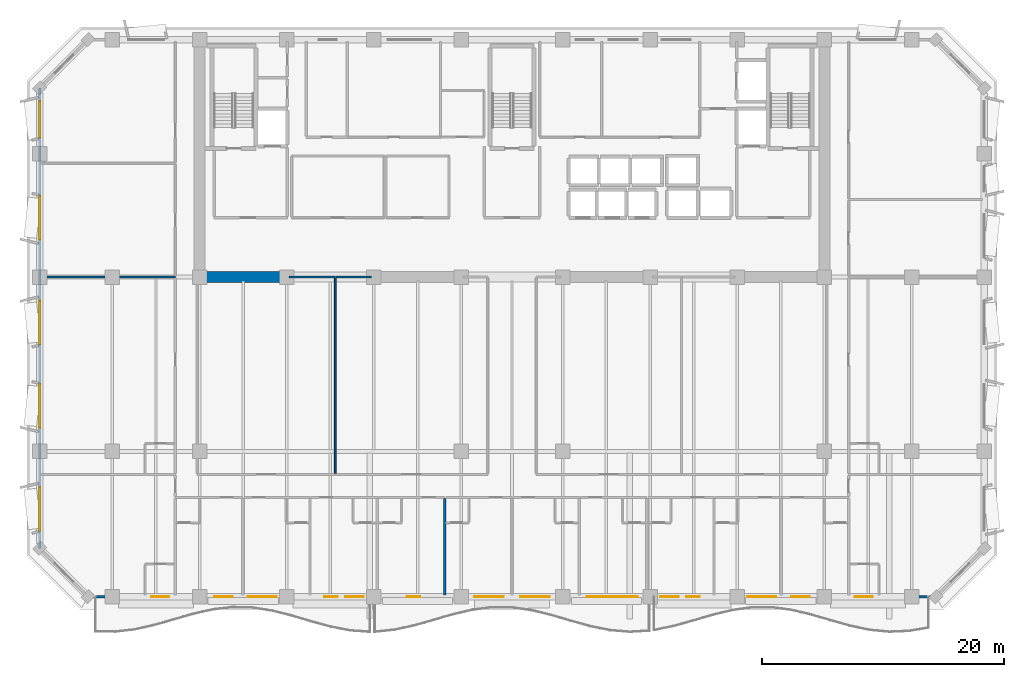
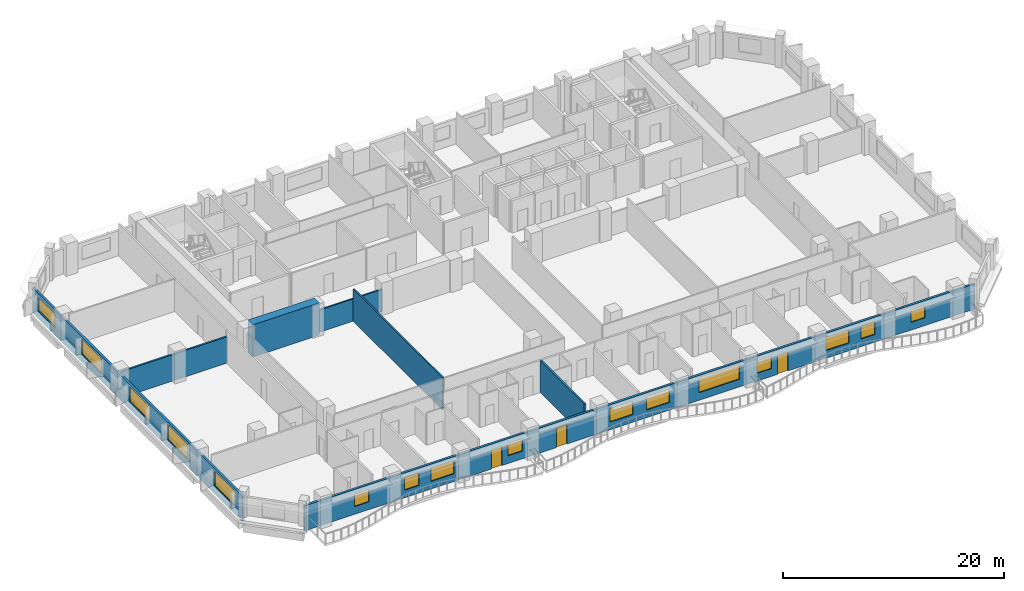
# One storey, part 5 of 15: 16 windows, 8 walls, 3 doors, 19 openings.
"""IFC4 building model written with IfcOpenShell, lengths in metres."""

from ifc_helpers import new_model, si_unit, direction, frame, frame_2d, origin, place, context, subcontext, project, spatial, rectangle, extrude, material, layer, layer_set, type_object, element, fill, save


model = new_model("IFC4")

# Units and contexts
model_context = context("Model", 3, precision=1e-05, world=origin(), true_north=direction((0.0, 1.0)))
body_context = subcontext(model_context, "Body", "Model", "MODEL_VIEW")
ifc_project = project(units=[si_unit("LENGTHUNIT", "METRE"), si_unit("AREAUNIT", "SQUARE_METRE"), si_unit("VOLUMEUNIT", "CUBIC_METRE"), si_unit("PLANEANGLEUNIT", "RADIAN"), si_unit("MASSUNIT", "GRAM", prefix="KILO")], contexts=[model_context])

# Site, building, storey
site_placement = place(None, origin())
site = spatial("IfcSite", under=ifc_project, at=site_placement, CompositionType="ELEMENT")
building_placement = place(site_placement, origin())
building = spatial("IfcBuilding", under=site, at=building_placement, Name="Kaelvorn Grand Hotel", CompositionType="ELEMENT")
storey_placement = place(building_placement, frame((0.0, 0.0, 142.949951171875)))
storey = spatial("IfcBuildingStorey", under=building, at=storey_placement, Name="L34", CompositionType="ELEMENT", Elevation=142.949951171875)

# Wall
ifc_material_1 = material(Name="Concrete C60/75", Category="concrete")
ifc_layer_1 = layer(ifc_material_1, 0.89990234375)
ifc_layer_set_1 = layer_set([ifc_layer_1], Name="Concrete C60/75")
wall_type_1 = type_object("IfcWallType", Name="WL-CORE-900-C60", PredefinedType="SHEAR", material=ifc_layer_set_1)
wall_1_placement = place(storey_placement, frame((16.655029296875, 29.39990234375, 0.0), z_axis=(0.0, 0.0, 1.0), x_axis=(1.0, 0.0, 0.0)))
element("IfcWall", 1, at=wall_1_placement, inside=storey, type_object=wall_type_1, Name="L34 Rear-Core Coupled Shear Pier S1", PredefinedType="SHEAR", context=body_context, shape_type="SweptSolid", body=[
    extrude(rectangle(XDim=6.945068359375, YDim=0.89990234375, at=frame_2d((3.47265625, 0.0))), origin(), (0.0, 0.0, 1.0), 3.56005859375),
])

# Wall, openings, doors, windows
ifc_material_2 = material(Name="Concrete C40/50", Category="concrete")
ifc_layer_2 = layer(ifc_material_2, 0.239990234375)
ifc_layer_set_2 = layer_set([ifc_layer_2], Name="Concrete C40/50")
wall_type_2 = type_object("IfcWallType", Name="WL-EXT-240-C40", PredefinedType="SOLIDWALL", material=ifc_layer_set_2)
wall_2_placement = place(storey_placement, frame((7.0, 3.0, 0.0), z_axis=(0.0, 0.0, 1.0), x_axis=(1.0, 0.0, 0.0)))
wall_2 = element("IfcWall", 2, at=wall_2_placement, inside=storey, type_object=wall_type_2, Name="L34 Exterior Architectural Concrete Wall 01", PredefinedType="SOLIDWALL", context=body_context, shape_type="SweptSolid", body=[
    extrude(rectangle(XDim=70.0, YDim=0.239990234375, at=frame_2d((35.0, 0.0))), origin(), (0.0, 0.0, 1.0), 2.760009765625),
])
opening_1_placement = place(wall_2_placement, frame((19.5166015625, 0.0, 0.0)))
opening_1 = element("IfcOpeningElement", 3, at=opening_1_placement, cuts=wall_2, Name="Opening DE2", PredefinedType="OPENING", context=body_context, shape_type="SweptSolid", body=[
    extrude(rectangle(XDim=1.10009765625, YDim=2.14990234375, at=frame_2d((0.550048828125, 1.074951171875))), frame((0.0, 0.1298828125, 0.0), z_axis=(0.0, -1.0, 0.0), x_axis=(1.0, 0.0, 0.0)), (0.0, 0.0, 1.0), 0.260009765625),
])
opening_2_placement = place(wall_2_placement, frame((26.316650390625, 0.0, 0.0)))
opening_2 = element("IfcOpeningElement", 4, at=opening_2_placement, cuts=wall_2, Name="Opening DE2", PredefinedType="OPENING", context=body_context, shape_type="SweptSolid", body=[
    extrude(rectangle(XDim=1.10009765625, YDim=2.14990234375, at=frame_2d((0.550048828125, 1.074951171875))), frame((0.0, 0.1298828125, 0.0), z_axis=(0.0, -1.0, 0.0), x_axis=(1.0, 0.0, 0.0)), (0.0, 0.0, 1.0), 0.260009765625),
])
opening_3_placement = place(wall_2_placement, frame((49.38330078125, 0.0, 0.0)))
opening_3 = element("IfcOpeningElement", 5, at=opening_3_placement, cuts=wall_2, Name="Opening DE2", PredefinedType="OPENING", context=body_context, shape_type="SweptSolid", body=[
    extrude(rectangle(XDim=1.10009765625, YDim=2.14990234375, at=frame_2d((0.550048828125, 1.074951171875))), frame((0.0, 0.1298828125, 0.0), z_axis=(0.0, -1.0, 0.0), x_axis=(1.0, 0.0, 0.0)), (0.0, 0.0, 1.0), 0.260009765625),
])
opening_4_placement = place(wall_2_placement, frame((5.199951171875, 0.0, 0.85009765625)))
opening_4 = element("IfcOpeningElement", 6, at=opening_4_placement, cuts=wall_2, Name="Opening W10", PredefinedType="OPENING", context=body_context, shape_type="SweptSolid", body=[
    extrude(rectangle(XDim=1.5, YDim=1.39990234375, at=frame_2d((0.75, 0.699951171875))), frame((0.0, 0.1298828125, 0.0), z_axis=(0.0, -1.0, 0.0), x_axis=(1.0, 0.0, 0.0)), (0.0, 0.0, 1.0), 0.260009765625),
])
opening_5_placement = place(wall_2_placement, frame((10.429931640625, 0.0, 0.85009765625)))
opening_5 = element("IfcOpeningElement", 7, at=opening_5_placement, cuts=wall_2, Name="Opening W10", PredefinedType="OPENING", context=body_context, shape_type="SweptSolid", body=[
    extrude(rectangle(XDim=1.5, YDim=1.39990234375, at=frame_2d((0.75, 0.699951171875))), frame((0.0, 0.1298828125, 0.0), z_axis=(0.0, -1.0, 0.0), x_axis=(1.0, 0.0, 0.0)), (0.0, 0.0, 1.0), 0.260009765625),
])
opening_6_placement = place(wall_2_placement, frame((13.179931640625, 0.0, 0.85009765625)))
opening_6 = element("IfcOpeningElement", 8, at=opening_6_placement, cuts=wall_2, Name="Opening W6", PredefinedType="OPENING", context=body_context, shape_type="SweptSolid", body=[
    extrude(rectangle(XDim=2.39990234375, YDim=1.5, at=frame_2d((1.199951171875, 0.75))), frame((0.0, 0.1298828125, 0.0), z_axis=(0.0, -1.0, 0.0), x_axis=(1.0, 0.0, 0.0)), (0.0, 0.0, 1.0), 0.260009765625),
])
opening_7_placement = place(wall_2_placement, frame((21.243408203125, 0.0, 0.85009765625)))
opening_7 = element("IfcOpeningElement", 9, at=opening_7_placement, cuts=wall_2, Name="Opening W10", PredefinedType="OPENING", context=body_context, shape_type="SweptSolid", body=[
    extrude(rectangle(XDim=1.5, YDim=1.39990234375, at=frame_2d((0.75, 0.699951171875))), frame((0.0, 0.1298828125, 0.0), z_axis=(0.0, -1.0, 0.0), x_axis=(1.0, 0.0, 0.0)), (0.0, 0.0, 1.0), 0.260009765625),
])
opening_8_placement = place(wall_2_placement, frame((31.89990234375, 0.0, 0.85009765625)))
opening_8 = element("IfcOpeningElement", 10, at=opening_8_placement, cuts=wall_2, Name="Opening W6", PredefinedType="OPENING", context=body_context, shape_type="SweptSolid", body=[
    extrude(rectangle(XDim=2.39990234375, YDim=1.5, at=frame_2d((1.199951171875, 0.75))), frame((0.0, 0.1298828125, 0.0), z_axis=(0.0, -1.0, 0.0), x_axis=(1.0, 0.0, 0.0)), (0.0, 0.0, 1.0), 0.260009765625),
])
opening_9_placement = place(wall_2_placement, frame((35.699951171875, 0.0, 0.85009765625)))
opening_9 = element("IfcOpeningElement", 11, at=opening_9_placement, cuts=wall_2, Name="Opening W6", PredefinedType="OPENING", context=body_context, shape_type="SweptSolid", body=[
    extrude(rectangle(XDim=2.39990234375, YDim=1.5, at=frame_2d((1.199951171875, 0.75))), frame((0.0, 0.1298828125, 0.0), z_axis=(0.0, -1.0, 0.0), x_axis=(1.0, 0.0, 0.0)), (0.0, 0.0, 1.0), 0.260009765625),
])
opening_10_placement = place(wall_2_placement, frame((41.179931640625, 0.0, 0.85009765625)))
opening_10 = element("IfcOpeningElement", 12, at=opening_10_placement, cuts=wall_2, Name="Opening W2", PredefinedType="OPENING", context=body_context, shape_type="SweptSolid", body=[
    extrude(rectangle(XDim=4.199951171875, YDim=1.64990234375, at=frame_2d((2.10009765625, 0.824951171875))), frame((0.0, 0.1298828125, 0.0), z_axis=(0.0, -1.0, 0.0), x_axis=(1.0, 0.0, 0.0)), (0.0, 0.0, 1.0), 0.260009765625),
])
opening_11_placement = place(wall_2_placement, frame((47.256591796875, 0.0, 0.85009765625)))
opening_11 = element("IfcOpeningElement", 13, at=opening_11_placement, cuts=wall_2, Name="Opening W10", PredefinedType="OPENING", context=body_context, shape_type="SweptSolid", body=[
    extrude(rectangle(XDim=1.5, YDim=1.39990234375, at=frame_2d((0.75, 0.699951171875))), frame((0.0, 0.1298828125, 0.0), z_axis=(0.0, -1.0, 0.0), x_axis=(1.0, 0.0, 0.0)), (0.0, 0.0, 1.0), 0.260009765625),
])
opening_12_placement = place(wall_2_placement, frame((54.419921875, 0.0, 0.85009765625)))
opening_12 = element("IfcOpeningElement", 14, at=opening_12_placement, cuts=wall_2, Name="Opening W6", PredefinedType="OPENING", context=body_context, shape_type="SweptSolid", body=[
    extrude(rectangle(XDim=2.39990234375, YDim=1.5, at=frame_2d((1.199951171875, 0.75))), frame((0.0, 0.1298828125, 0.0), z_axis=(0.0, -1.0, 0.0), x_axis=(1.0, 0.0, 0.0)), (0.0, 0.0, 1.0), 0.260009765625),
])
opening_13_placement = place(wall_2_placement, frame((58.070068359375, 0.0, 0.85009765625)))
opening_13 = element("IfcOpeningElement", 15, at=opening_13_placement, cuts=wall_2, Name="Opening W10", PredefinedType="OPENING", context=body_context, shape_type="SweptSolid", body=[
    extrude(rectangle(XDim=1.5, YDim=1.39990234375, at=frame_2d((0.75, 0.699951171875))), frame((0.0, 0.1298828125, 0.0), z_axis=(0.0, -1.0, 0.0), x_axis=(1.0, 0.0, 0.0)), (0.0, 0.0, 1.0), 0.260009765625),
])
opening_14_placement = place(wall_2_placement, frame((63.300048828125, 0.0, 0.85009765625)))
opening_14 = element("IfcOpeningElement", 16, at=opening_14_placement, cuts=wall_2, Name="Opening W10", PredefinedType="OPENING", context=body_context, shape_type="SweptSolid", body=[
    extrude(rectangle(XDim=1.5, YDim=1.39990234375, at=frame_2d((0.75, 0.699951171875))), frame((0.0, 0.1298828125, 0.0), z_axis=(0.0, -1.0, 0.0), x_axis=(1.0, 0.0, 0.0)), (0.0, 0.0, 1.0), 0.260009765625),
])
ifc_material_3 = material(Name="Anodised Aluminium", Category="aluminium")
door_type = type_object("IfcDoorType", Name="DR-EXT-BALC-1100x2150", OperationType="NOTDEFINED", PredefinedType="DOOR", material=ifc_material_3)
door_1_placement = place(opening_1_placement, origin())
door_1 = element("IfcDoor", 17, at=door_1_placement, inside=storey, type_object=door_type, Name="L34 Scalloped Balcony Glazed Door DE2-1", OperationType="SINGLE_SWING_RIGHT", OverallHeight=2.14990234375, OverallWidth=1.10009765625, PredefinedType="DOOR", context=body_context, shape_type="SweptSolid", body=[
    extrude(rectangle(XDim=1.10009765625, YDim=2.14990234375, at=frame_2d((0.550048828125, 1.074951171875))), frame((0.0, 0.02490234375, 0.0), z_axis=(0.0, -1.0, 0.0), x_axis=(1.0, 0.0, 0.0)), (0.0, 0.0, 1.0), 0.050048828125),
])
fill(opening_1, door_1)
door_2_placement = place(opening_2_placement, origin())
door_2 = element("IfcDoor", 18, at=door_2_placement, inside=storey, type_object=door_type, Name="L34 Scalloped Balcony Glazed Door DE2-2", OperationType="SINGLE_SWING_LEFT", OverallHeight=2.14990234375, OverallWidth=1.10009765625, PredefinedType="DOOR", context=body_context, shape_type="SweptSolid", body=[
    extrude(rectangle(XDim=1.10009765625, YDim=2.14990234375, at=frame_2d((0.550048828125, 1.074951171875))), frame((0.0, 0.02490234375, 0.0), z_axis=(0.0, -1.0, 0.0), x_axis=(1.0, 0.0, 0.0)), (0.0, 0.0, 1.0), 0.050048828125),
])
fill(opening_2, door_2)
door_3_placement = place(opening_3_placement, origin())
door_3 = element("IfcDoor", 19, at=door_3_placement, inside=storey, type_object=door_type, Name="L34 Scalloped Balcony Glazed Door DE2-3", OperationType="SINGLE_SWING_RIGHT", OverallHeight=2.14990234375, OverallWidth=1.10009765625, PredefinedType="DOOR", context=body_context, shape_type="SweptSolid", body=[
    extrude(rectangle(XDim=1.10009765625, YDim=2.14990234375, at=frame_2d((0.550048828125, 1.074951171875))), frame((0.0, 0.02490234375, 0.0), z_axis=(0.0, -1.0, 0.0), x_axis=(1.0, 0.0, 0.0)), (0.0, 0.0, 1.0), 0.050048828125),
])
fill(opening_3, door_3)
ifc_material_4 = material(Name="Laminated Low-E Glass", Category="glass")
window_type_1 = type_object("IfcWindowType", Name="WIN-COR-1500x1400", PartitioningType="SINGLE_PANEL", PredefinedType="WINDOW", material=ifc_material_4)
window_1_placement = place(opening_4_placement, origin())
window_1 = element("IfcWindow", 20, at=window_1_placement, inside=storey, type_object=window_type_1, Name="L34 South Guestroom Ribbon Window SR01", OverallHeight=1.39990234375, OverallWidth=1.5, PartitioningType="SINGLE_PANEL", PredefinedType="WINDOW", context=body_context, shape_type="SweptSolid", body=[
    extrude(rectangle(XDim=1.5, YDim=1.39990234375, at=frame_2d((0.75, 0.699951171875))), frame((0.0, 0.030029296875, 0.0), z_axis=(0.0, -1.0, 0.0), x_axis=(1.0, 0.0, 0.0)), (0.0, 0.0, 1.0), 0.06005859375),
])
fill(opening_4, window_1)
window_2_placement = place(opening_5_placement, origin())
window_2 = element("IfcWindow", 21, at=window_2_placement, inside=storey, type_object=window_type_1, Name="L34 South Guestroom Ribbon Window SR02", OverallHeight=1.39990234375, OverallWidth=1.5, PartitioningType="SINGLE_PANEL", PredefinedType="WINDOW", context=body_context, shape_type="SweptSolid", body=[
    extrude(rectangle(XDim=1.5, YDim=1.39990234375, at=frame_2d((0.75, 0.699951171875))), frame((0.0, 0.030029296875, 0.0), z_axis=(0.0, -1.0, 0.0), x_axis=(1.0, 0.0, 0.0)), (0.0, 0.0, 1.0), 0.06005859375),
])
fill(opening_5, window_2)
window_3_placement = place(opening_7_placement, origin())
window_3 = element("IfcWindow", 22, at=window_3_placement, inside=storey, type_object=window_type_1, Name="L34 South Guestroom Ribbon Window SR04", OverallHeight=1.39990234375, OverallWidth=1.5, PartitioningType="SINGLE_PANEL", PredefinedType="WINDOW", context=body_context, shape_type="SweptSolid", body=[
    extrude(rectangle(XDim=1.5, YDim=1.39990234375, at=frame_2d((0.75, 0.699951171875))), frame((0.0, 0.030029296875, 0.0), z_axis=(0.0, -1.0, 0.0), x_axis=(1.0, 0.0, 0.0)), (0.0, 0.0, 1.0), 0.06005859375),
])
fill(opening_7, window_3)
window_4_placement = place(opening_11_placement, origin())
window_4 = element("IfcWindow", 23, at=window_4_placement, inside=storey, type_object=window_type_1, Name="L34 South Guestroom Ribbon Window SR08", OverallHeight=1.39990234375, OverallWidth=1.5, PartitioningType="SINGLE_PANEL", PredefinedType="WINDOW", context=body_context, shape_type="SweptSolid", body=[
    extrude(rectangle(XDim=1.5, YDim=1.39990234375, at=frame_2d((0.75, 0.699951171875))), frame((0.0, 0.030029296875, 0.0), z_axis=(0.0, -1.0, 0.0), x_axis=(1.0, 0.0, 0.0)), (0.0, 0.0, 1.0), 0.06005859375),
])
fill(opening_11, window_4)
window_5_placement = place(opening_13_placement, origin())
window_5 = element("IfcWindow", 24, at=window_5_placement, inside=storey, type_object=window_type_1, Name="L34 South Guestroom Ribbon Window SR10", OverallHeight=1.39990234375, OverallWidth=1.5, PartitioningType="SINGLE_PANEL", PredefinedType="WINDOW", context=body_context, shape_type="SweptSolid", body=[
    extrude(rectangle(XDim=1.5, YDim=1.39990234375, at=frame_2d((0.75, 0.699951171875))), frame((0.0, 0.030029296875, 0.0), z_axis=(0.0, -1.0, 0.0), x_axis=(1.0, 0.0, 0.0)), (0.0, 0.0, 1.0), 0.06005859375),
])
fill(opening_13, window_5)
window_6_placement = place(opening_14_placement, origin())
window_6 = element("IfcWindow", 25, at=window_6_placement, inside=storey, type_object=window_type_1, Name="L34 South Guestroom Ribbon Window SR11", OverallHeight=1.39990234375, OverallWidth=1.5, PartitioningType="SINGLE_PANEL", PredefinedType="WINDOW", context=body_context, shape_type="SweptSolid", body=[
    extrude(rectangle(XDim=1.5, YDim=1.39990234375, at=frame_2d((0.75, 0.699951171875))), frame((0.0, 0.030029296875, 0.0), z_axis=(0.0, -1.0, 0.0), x_axis=(1.0, 0.0, 0.0)), (0.0, 0.0, 1.0), 0.06005859375),
])
fill(opening_14, window_6)
window_type_2 = type_object("IfcWindowType", Name="WIN-NTH-2400x1500", PartitioningType="SINGLE_PANEL", PredefinedType="WINDOW", material=ifc_material_4)
window_7_placement = place(opening_6_placement, origin())
window_7 = element("IfcWindow", 26, at=window_7_placement, inside=storey, type_object=window_type_2, Name="L34 South Guestroom Ribbon Window SR03", OverallHeight=1.5, OverallWidth=2.39990234375, PartitioningType="SINGLE_PANEL", PredefinedType="WINDOW", context=body_context, shape_type="SweptSolid", body=[
    extrude(rectangle(XDim=2.39990234375, YDim=1.5, at=frame_2d((1.199951171875, 0.75))), frame((0.0, 0.030029296875, 0.0), z_axis=(0.0, -1.0, 0.0), x_axis=(1.0, 0.0, 0.0)), (0.0, 0.0, 1.0), 0.06005859375),
])
fill(opening_6, window_7)
window_8_placement = place(opening_8_placement, origin())
window_8 = element("IfcWindow", 27, at=window_8_placement, inside=storey, type_object=window_type_2, Name="L34 South Guestroom Ribbon Window SR05", OverallHeight=1.5, OverallWidth=2.39990234375, PartitioningType="SINGLE_PANEL", PredefinedType="WINDOW", context=body_context, shape_type="SweptSolid", body=[
    extrude(rectangle(XDim=2.39990234375, YDim=1.5, at=frame_2d((1.199951171875, 0.75))), frame((0.0, 0.030029296875, 0.0), z_axis=(0.0, -1.0, 0.0), x_axis=(1.0, 0.0, 0.0)), (0.0, 0.0, 1.0), 0.06005859375),
])
fill(opening_8, window_8)
window_9_placement = place(opening_9_placement, origin())
window_9 = element("IfcWindow", 28, at=window_9_placement, inside=storey, type_object=window_type_2, Name="L34 South Guestroom Ribbon Window SR06", OverallHeight=1.5, OverallWidth=2.39990234375, PartitioningType="SINGLE_PANEL", PredefinedType="WINDOW", context=body_context, shape_type="SweptSolid", body=[
    extrude(rectangle(XDim=2.39990234375, YDim=1.5, at=frame_2d((1.199951171875, 0.75))), frame((0.0, 0.030029296875, 0.0), z_axis=(0.0, -1.0, 0.0), x_axis=(1.0, 0.0, 0.0)), (0.0, 0.0, 1.0), 0.06005859375),
])
fill(opening_9, window_9)
window_10_placement = place(opening_12_placement, origin())
window_10 = element("IfcWindow", 29, at=window_10_placement, inside=storey, type_object=window_type_2, Name="L34 South Guestroom Ribbon Window SR09", OverallHeight=1.5, OverallWidth=2.39990234375, PartitioningType="SINGLE_PANEL", PredefinedType="WINDOW", context=body_context, shape_type="SweptSolid", body=[
    extrude(rectangle(XDim=2.39990234375, YDim=1.5, at=frame_2d((1.199951171875, 0.75))), frame((0.0, 0.030029296875, 0.0), z_axis=(0.0, -1.0, 0.0), x_axis=(1.0, 0.0, 0.0)), (0.0, 0.0, 1.0), 0.06005859375),
])
fill(opening_12, window_10)
window_type_3 = type_object("IfcWindowType", Name="WIN-RIB-4200x1650", PartitioningType="SINGLE_PANEL", PredefinedType="WINDOW", material=ifc_material_4)
window_11_placement = place(opening_10_placement, origin())
window_11 = element("IfcWindow", 30, at=window_11_placement, inside=storey, type_object=window_type_3, Name="L34 South Guestroom Ribbon Window SR07", OverallHeight=1.64990234375, OverallWidth=4.199951171875, PartitioningType="SINGLE_PANEL", PredefinedType="WINDOW", context=body_context, shape_type="SweptSolid", body=[
    extrude(rectangle(XDim=4.199951171875, YDim=1.64990234375, at=frame_2d((2.10009765625, 0.824951171875))), frame((0.0, 0.030029296875, 0.0), z_axis=(0.0, -1.0, 0.0), x_axis=(1.0, 0.0, 0.0)), (0.0, 0.0, 1.0), 0.06005859375),
])
fill(opening_10, window_11)

# Wall, openings, windows
wall_3_placement = place(storey_placement, frame((3.0, 45.0, 0.0), z_axis=(0.0, 0.0, 1.0), x_axis=(0.0, -1.0, 0.0)))
wall_3 = element("IfcWall", 31, at=wall_3_placement, inside=storey, type_object=wall_type_2, Name="L34 Exterior Architectural Concrete Wall 07", PredefinedType="SOLIDWALL", context=body_context, shape_type="SweptSolid", body=[
    extrude(rectangle(XDim=38.0, YDim=0.239990234375, at=frame_2d((19.0, 0.0))), origin(), (0.0, 0.0, 1.0), 2.760009765625),
])
opening_15_placement = place(wall_3_placement, frame((32.949951171875, 0.0, 0.85009765625)))
opening_15 = element("IfcOpeningElement", 32, at=opening_15_placement, cuts=wall_3, Name="Opening W3", PredefinedType="OPENING", context=body_context, shape_type="SweptSolid", body=[
    extrude(rectangle(XDim=3.60009765625, YDim=1.64990234375, at=frame_2d((1.800048828125, 0.824951171875))), frame((0.0, 0.1298828125, 0.0), z_axis=(0.0, -1.0, 0.0), x_axis=(1.0, 0.0, 0.0)), (0.0, 0.0, 1.0), 0.260009765625),
])
opening_16_placement = place(wall_3_placement, frame((24.43505859375, 0.0, 0.85009765625)))
opening_16 = element("IfcOpeningElement", 33, at=opening_16_placement, cuts=wall_3, Name="Opening W3", PredefinedType="OPENING", context=body_context, shape_type="SweptSolid", body=[
    extrude(rectangle(XDim=3.60009765625, YDim=1.64990234375, at=frame_2d((1.800048828125, 0.824951171875))), frame((0.0, 0.1298828125, 0.0), z_axis=(0.0, -1.0, 0.0), x_axis=(1.0, 0.0, 0.0)), (0.0, 0.0, 1.0), 0.260009765625),
])
opening_17_placement = place(wall_3_placement, frame((17.56494140625, 0.0, 0.85009765625)))
opening_17 = element("IfcOpeningElement", 34, at=opening_17_placement, cuts=wall_3, Name="Opening W3", PredefinedType="OPENING", context=body_context, shape_type="SweptSolid", body=[
    extrude(rectangle(XDim=3.60009765625, YDim=1.64990234375, at=frame_2d((1.800048828125, 0.824951171875))), frame((0.0, 0.1298828125, 0.0), z_axis=(0.0, -1.0, 0.0), x_axis=(1.0, 0.0, 0.0)), (0.0, 0.0, 1.0), 0.260009765625),
])
opening_18_placement = place(wall_3_placement, frame((8.89990234375, 0.0, 0.85009765625)))
opening_18 = element("IfcOpeningElement", 35, at=opening_18_placement, cuts=wall_3, Name="Opening W3", PredefinedType="OPENING", context=body_context, shape_type="SweptSolid", body=[
    extrude(rectangle(XDim=3.60009765625, YDim=1.64990234375, at=frame_2d((1.800048828125, 0.824951171875))), frame((0.0, 0.1298828125, 0.0), z_axis=(0.0, -1.0, 0.0), x_axis=(1.0, 0.0, 0.0)), (0.0, 0.0, 1.0), 0.260009765625),
])
opening_19_placement = place(wall_3_placement, frame((1.0849609375, 0.0, 0.85009765625)))
opening_19 = element("IfcOpeningElement", 36, at=opening_19_placement, cuts=wall_3, Name="Opening W5", PredefinedType="OPENING", context=body_context, shape_type="SweptSolid", body=[
    extrude(rectangle(XDim=3.0, YDim=1.5, at=frame_2d((1.5, 0.75))), frame((0.0, 0.1298828125, 0.0), z_axis=(0.0, -1.0, 0.0), x_axis=(1.0, 0.0, 0.0)), (0.0, 0.0, 1.0), 0.260009765625),
])
window_type_4 = type_object("IfcWindowType", Name="WIN-NTH-3000x1500", PartitioningType="SINGLE_PANEL", PredefinedType="WINDOW", material=ifc_material_4)
window_12_placement = place(opening_19_placement, origin())
window_12 = element("IfcWindow", 37, at=window_12_placement, inside=storey, type_object=window_type_4, Name="L34 W Wing Tilted-Frame Ribbon Window W05", OverallHeight=1.5, OverallWidth=3.0, PartitioningType="SINGLE_PANEL", PredefinedType="WINDOW", context=body_context, shape_type="SweptSolid", body=[
    extrude(rectangle(XDim=3.0, YDim=1.5, at=frame_2d((1.5, 0.75))), frame((0.0, 0.030029296875, 0.0), z_axis=(0.0, -1.0, 0.0), x_axis=(1.0, 0.0, 0.0)), (0.0, 0.0, 1.0), 0.06005859375),
])
fill(opening_19, window_12)
window_type_5 = type_object("IfcWindowType", Name="WIN-RIB-3600x1750", PartitioningType="SINGLE_PANEL", PredefinedType="WINDOW", material=ifc_material_4)
window_13_placement = place(opening_15_placement, origin())
window_13 = element("IfcWindow", 38, at=window_13_placement, inside=storey, type_object=window_type_5, Name="L34 W Wing Tilted-Frame Ribbon Window W01", OverallHeight=1.64990234375, OverallWidth=3.60009765625, PartitioningType="SINGLE_PANEL", PredefinedType="WINDOW", context=body_context, shape_type="SweptSolid", body=[
    extrude(rectangle(XDim=3.60009765625, YDim=1.64990234375, at=frame_2d((1.800048828125, 0.824951171875))), frame((0.0, 0.030029296875, 0.0), z_axis=(0.0, -1.0, 0.0), x_axis=(1.0, 0.0, 0.0)), (0.0, 0.0, 1.0), 0.06005859375),
])
fill(opening_15, window_13)
window_14_placement = place(opening_16_placement, origin())
window_14 = element("IfcWindow", 39, at=window_14_placement, inside=storey, type_object=window_type_5, Name="L34 W Wing Tilted-Frame Ribbon Window W02", OverallHeight=1.64990234375, OverallWidth=3.60009765625, PartitioningType="SINGLE_PANEL", PredefinedType="WINDOW", context=body_context, shape_type="SweptSolid", body=[
    extrude(rectangle(XDim=3.60009765625, YDim=1.64990234375, at=frame_2d((1.800048828125, 0.824951171875))), frame((0.0, 0.030029296875, 0.0), z_axis=(0.0, -1.0, 0.0), x_axis=(1.0, 0.0, 0.0)), (0.0, 0.0, 1.0), 0.06005859375),
])
fill(opening_16, window_14)
window_15_placement = place(opening_17_placement, origin())
window_15 = element("IfcWindow", 40, at=window_15_placement, inside=storey, type_object=window_type_5, Name="L34 W Wing Tilted-Frame Ribbon Window W03", OverallHeight=1.64990234375, OverallWidth=3.60009765625, PartitioningType="SINGLE_PANEL", PredefinedType="WINDOW", context=body_context, shape_type="SweptSolid", body=[
    extrude(rectangle(XDim=3.60009765625, YDim=1.64990234375, at=frame_2d((1.800048828125, 0.824951171875))), frame((0.0, 0.030029296875, 0.0), z_axis=(0.0, -1.0, 0.0), x_axis=(1.0, 0.0, 0.0)), (0.0, 0.0, 1.0), 0.06005859375),
])
fill(opening_17, window_15)
window_16_placement = place(opening_18_placement, origin())
window_16 = element("IfcWindow", 41, at=window_16_placement, inside=storey, type_object=window_type_5, Name="L34 W Wing Tilted-Frame Ribbon Window W04", OverallHeight=1.64990234375, OverallWidth=3.60009765625, PartitioningType="SINGLE_PANEL", PredefinedType="WINDOW", context=body_context, shape_type="SweptSolid", body=[
    extrude(rectangle(XDim=3.60009765625, YDim=1.64990234375, at=frame_2d((1.800048828125, 0.824951171875))), frame((0.0, 0.030029296875, 0.0), z_axis=(0.0, -1.0, 0.0), x_axis=(1.0, 0.0, 0.0)), (0.0, 0.0, 1.0), 0.06005859375),
])
fill(opening_18, window_16)

# Walls
ifc_material_5 = material(Name="Acoustic Gypsum & Stud Partition")
ifc_layer_3 = layer(ifc_material_5, 0.14990234375)
ifc_layer_set_3 = layer_set([ifc_layer_3], Name="Acoustic Gypsum & Stud Partition")
wall_type_3 = type_object("IfcWallType", Name="WL-PART-150-EI60", PredefinedType="PARTITIONING", material=ifc_layer_set_3)
wall_4_placement = place(storey_placement, frame((23.610107421875, 29.39990234375, 0.0), z_axis=(0.0, 0.0, 1.0), x_axis=(1.0, 0.0, 0.0)))
element("IfcWall", 42, at=wall_4_placement, inside=storey, type_object=wall_type_3, Name="L34 Private Dining Restaurant N Partition", PredefinedType="PARTITIONING", context=body_context, shape_type="SweptSolid", body=[
    extrude(rectangle(XDim=3.789794921875, YDim=0.14990234375, at=frame_2d((1.89501953125, 0.0))), origin(), (0.0, 0.0, 1.0), 2.4599609375),
])
wall_5_placement = place(storey_placement, frame((27.39990234375, 13.179931640625, 0.0), z_axis=(0.0, 0.0, 1.0), x_axis=(0.0, 1.0, 0.0)))
element("IfcWall", 43, at=wall_5_placement, inside=storey, type_object=wall_type_3, Name="L34 Private Dining Restaurant E Partition", PredefinedType="PARTITIONING", context=body_context, shape_type="SweptSolid", body=[
    extrude(rectangle(XDim=16.14013671875, YDim=0.14990234375, at=frame_2d((8.070068359375, 0.0))), origin(), (0.0, 0.0, 1.0), 3.56005859375),
])
wall_6_placement = place(storey_placement, frame((27.47998046875, 29.39990234375, 0.0), z_axis=(0.0, 0.0, 1.0), x_axis=(1.0, 0.0, 0.0)))
element("IfcWall", 44, at=wall_6_placement, inside=storey, type_object=wall_type_3, Name="L34 Hospitality Tea Kitchen N Partition (1)", PredefinedType="PARTITIONING", context=body_context, shape_type="SweptSolid", body=[
    extrude(rectangle(XDim=2.909912109375, YDim=0.14990234375, at=frame_2d((1.455078125, 0.0))), origin(), (0.0, 0.0, 1.0), 2.4599609375),
])
ifc_layer_4 = layer(ifc_material_5, 0.179931640625)
ifc_layer_set_4 = layer_set([ifc_layer_4], Name="Acoustic Gypsum & Stud Partition")
wall_type_4 = type_object("IfcWallType", Name="WL-PART-180-EI60", PredefinedType="PARTITIONING", material=ifc_layer_set_4)
wall_7_placement = place(storey_placement, frame((36.43994140625, 3.14990234375, 0.0), z_axis=(0.0, 0.0, 1.0), x_axis=(0.0, 1.0, 0.0)))
element("IfcWall", 45, at=wall_7_placement, inside=storey, type_object=wall_type_4, Name="L34 Superior King Guest Room L34-04 E Partition", PredefinedType="PARTITIONING", context=body_context, shape_type="SweptSolid", body=[
    extrude(rectangle(XDim=7.955078125, YDim=0.179931640625, at=frame_2d((3.9775390625, 0.0))), origin(), (0.0, 0.0, 1.0), 3.56005859375),
])
wall_8_placement = place(storey_placement, frame((3.14990234375, 29.39990234375, 0.0), z_axis=(0.0, 0.0, 1.0), x_axis=(1.0, 0.0, 0.0)))
element("IfcWall", 46, at=wall_8_placement, inside=storey, type_object=wall_type_4, Name="L34 West End Panoramic Suite L34-12 N Partition", PredefinedType="PARTITIONING", context=body_context, shape_type="SweptSolid", body=[
    extrude(rectangle(XDim=11.050048828125, YDim=0.179931640625, at=frame_2d((5.52490234375, 0.0))), origin(), (0.0, 0.0, 1.0), 2.91015625),
])

save(model, "model.ifc")
